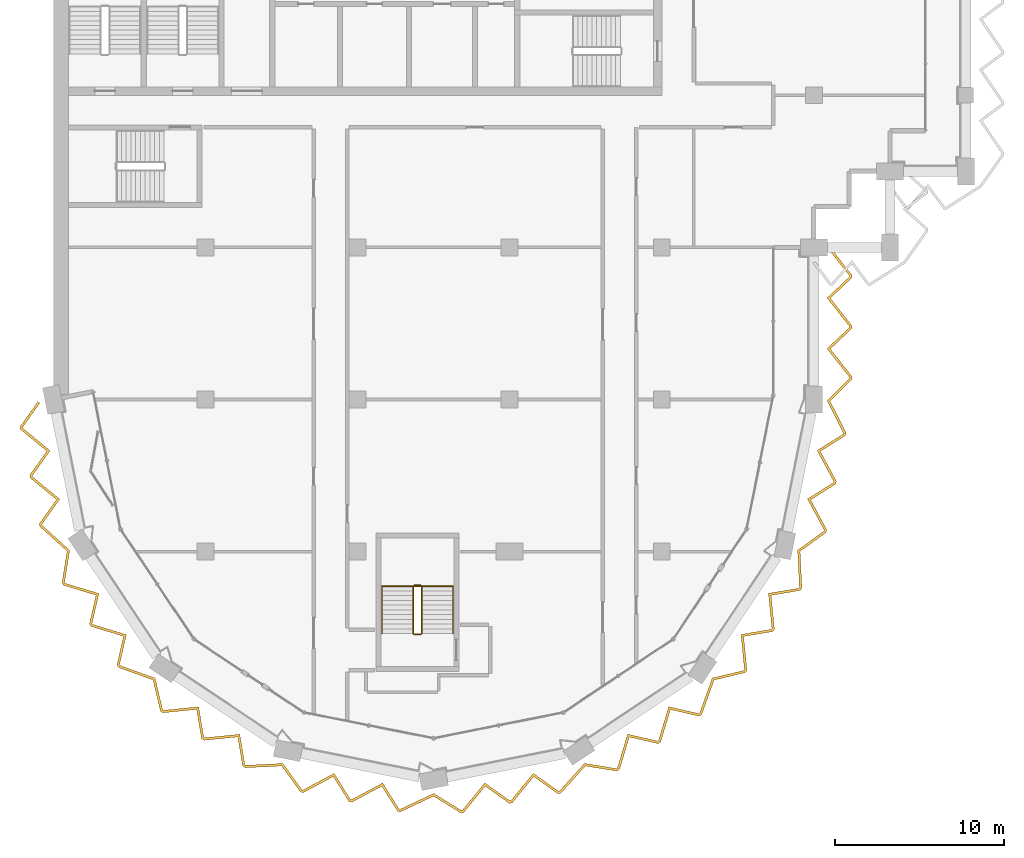
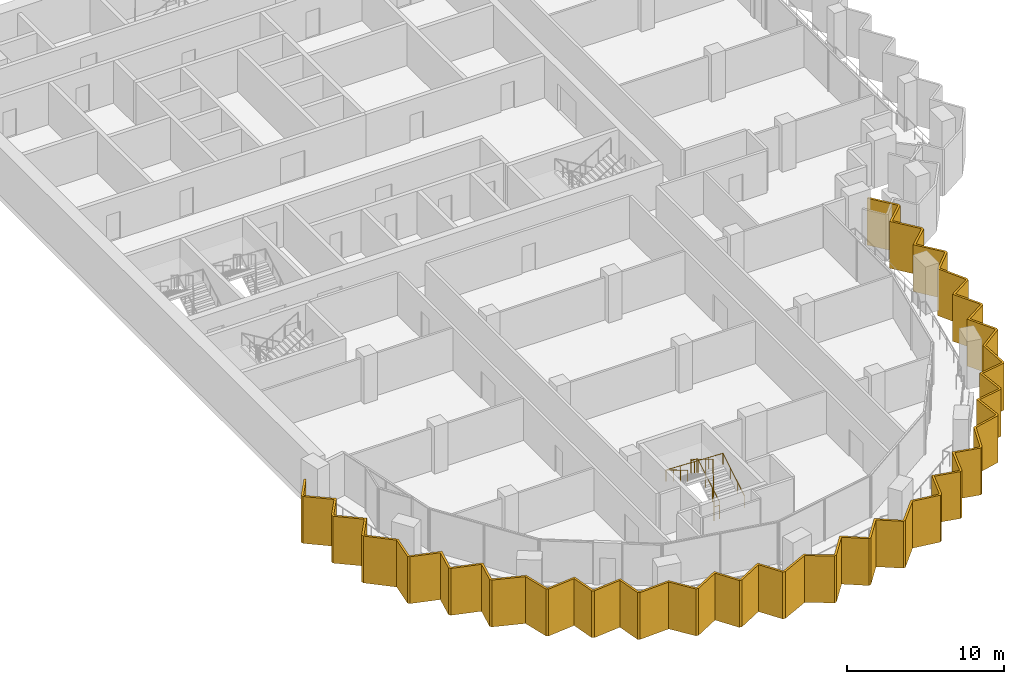
# One storey, part 14 of 17: 2 railings, 1 shading device.
"""IFC4 building model written with IfcOpenShell, lengths in metres."""

from ifc_helpers import new_model, si_unit, direction, frame, origin, origin_2d, place, context, subcontext, project, spatial, polyline, circle, outline, extrude, material, layer, layer_set, type_object, element, save


model = new_model("IFC4")

# Units and contexts
model_context = context("Model", 3, precision=1e-05, world=origin(), true_north=direction((0.0, 1.0)))
body_context = subcontext(model_context, "Body", "Model", "MODEL_VIEW")
ifc_project = project(units=[si_unit("LENGTHUNIT", "METRE"), si_unit("AREAUNIT", "SQUARE_METRE"), si_unit("VOLUMEUNIT", "CUBIC_METRE"), si_unit("PLANEANGLEUNIT", "RADIAN"), si_unit("MASSUNIT", "GRAM", prefix="KILO")], contexts=[model_context])

# Site, building, storey
site_placement = place(None, origin())
site = spatial("IfcSite", under=ifc_project, at=site_placement, CompositionType="ELEMENT")
building_placement = place(site_placement, origin())
building = spatial("IfcBuilding", under=site, at=building_placement, Name="Hunhe Ridgeline Campus", CompositionType="ELEMENT")
storey_placement = place(building_placement, frame((0.0, 0.0, 265.10009765625)))
storey = spatial("IfcBuildingStorey", under=building, at=storey_placement, Name="L68", CompositionType="ELEMENT", Elevation=265.10009765625)

# Shading device
ifc_material_1 = material(Name="Concrete C50", Category="concrete")
ifc_layer = layer(ifc_material_1, 0.14990234375)
ifc_layer_set = layer_set([ifc_layer], Name="Sawtooth concrete fin 150 Concrete C50")
shading_device_type = type_object("IfcShadingDeviceType", Name="Sawtooth concrete fin 150 Concrete C50", PredefinedType="USERDEFINED", material=ifc_layer_set)
shading_device_placement = place(storey_placement, frame((0.0, 0.0, -0.9501953125)))
element("IfcShadingDevice", 1, at=shading_device_placement, inside=storey, type_object=shading_device_type, Name="Concrete fin screen 1", ObjectType="FIN", PredefinedType="USERDEFINED", context=body_context, shape_type="SweptSolid", body=[
    extrude(outline(polyline([(-0.797119140625, 44.785888671875), (-0.919189453125, 44.872802734375), (-1.973876953125, 43.39013671875), (-1.93896484375, 43.21435546875), (-0.388916015625, 41.945556640625), (-1.403076171875, 40.52001953125), (-1.367919921875, 40.34423828125), (0.181884765625, 39.075439453125), (-0.83203125, 37.64990234375), (-0.797607421875, 37.476318359375), (0.807861328125, 36.02001953125), (0.5068359375, 34.14453125), (0.604736328125, 33.998046875), (2.522216796875, 33.418701171875), (2.130859375, 31.7138671875), (2.23046875, 31.564697265625), (4.14794921875, 30.985595703125), (3.7568359375, 29.28076171875), (3.855224609375, 29.13330078125), (5.895751953125, 28.40234375), (6.3349609375, 26.554443359375), (6.481689453125, 26.45654296875), (8.474853515625, 26.6552734375), (8.765869140625, 24.93017578125), (8.914794921875, 24.830810546875), (10.907958984375, 25.029296875), (11.198974609375, 23.304443359375), (11.34619140625, 23.2060546875), (13.51123046875, 23.3115234375), (14.624267578125, 21.7724609375), (14.79736328125, 21.738037109375), (16.562744140625, 22.684326171875), (17.49169921875, 21.2021484375), (17.66748046875, 21.167236328125), (19.432861328125, 22.113525390625), (20.36181640625, 20.63134765625), (20.535400390625, 20.5966796875), (22.495361328125, 21.522705078125), (24.112548828125, 20.526611328125), (24.28564453125, 20.56103515625), (25.554443359375, 22.111083984375), (26.97998046875, 21.096923828125), (27.15576171875, 21.132080078125), (28.424560546875, 22.681884765625), (29.85009765625, 21.66796875), (30.023681640625, 21.702392578125), (31.47998046875, 23.307861328125), (33.35546875, 23.0068359375), (33.501953125, 23.104736328125), (34.081298828125, 25.022216796875), (35.7861328125, 24.630859375), (35.935302734375, 24.73046875), (36.514404296875, 26.64794921875), (38.21923828125, 26.2568359375), (38.36669921875, 26.355224609375), (39.09765625, 28.395751953125), (40.945556640625, 28.8349609375), (41.04345703125, 28.981689453125), (40.8447265625, 30.974853515625), (42.56982421875, 31.265869140625), (42.669189453125, 31.414794921875), (42.470703125, 33.407958984375), (44.195556640625, 33.698974609375), (44.2939453125, 33.84619140625), (44.1884765625, 36.01123046875), (45.7275390625, 37.124267578125), (45.761962890625, 37.29736328125), (44.815673828125, 39.062744140625), (46.2978515625, 39.99169921875), (46.332763671875, 40.16748046875), (45.386474609375, 41.932861328125), (46.86865234375, 42.86181640625), (46.903564453125, 43.036376953125), (45.96630859375, 44.8994140625), (47.25, 46.1953125), (47.25, 46.3720703125), (45.976318359375, 47.992431640625), (47.25, 49.19384765625), (47.25, 49.3720703125), (45.976318359375, 50.992431640625), (47.25, 52.19384765625), (47.25, 52.3720703125), (45.93408203125, 54.04638671875), (45.81591796875, 53.95361328125), (47.10009765625, 52.320068359375), (47.10009765625, 52.258544921875), (45.773681640625, 51.007568359375), (47.10009765625, 49.320068359375), (47.10009765625, 49.258544921875), (45.773681640625, 48.007568359375), (47.10009765625, 46.320068359375), (47.10009765625, 46.257080078125), (45.78369140625, 44.92822265625), (46.746337890625, 43.01513671875), (46.734375, 42.95458984375), (45.18798828125, 41.985595703125), (46.17529296875, 40.14404296875), (46.163330078125, 40.08447265625), (44.6171875, 39.115478515625), (45.604248046875, 37.27392578125), (45.591796875, 37.21142578125), (44.03466796875, 36.085205078125), (44.1416015625, 33.888427734375), (44.106689453125, 33.836181640625), (42.307373046875, 33.53271484375), (42.5146484375, 31.453369140625), (42.48095703125, 31.403076171875), (40.681640625, 31.099365234375), (40.888916015625, 29.020263671875), (40.853515625, 28.96728515625), (38.98388671875, 28.522705078125), (38.2421875, 26.452392578125), (38.189697265625, 26.41748046875), (36.411376953125, 26.825439453125), (35.80712890625, 24.825439453125), (35.756591796875, 24.79150390625), (33.97802734375, 25.19970703125), (33.3740234375, 23.199462890625), (33.321044921875, 23.164306640625), (31.423583984375, 23.468994140625), (29.94580078125, 21.83984375), (29.88427734375, 21.82763671875), (28.397216796875, 22.88525390625), (27.07373046875, 21.2685546875), (27.01416015625, 21.2568359375), (25.527099609375, 22.314453125), (24.20361328125, 20.69775390625), (24.14111328125, 20.685302734375), (22.504638671875, 21.693115234375), (20.51611328125, 20.75341796875), (20.45458984375, 20.765625), (19.485595703125, 22.31201171875), (17.64404296875, 21.32470703125), (17.58447265625, 21.336669921875), (16.615478515625, 22.8828125), (14.77392578125, 21.895751953125), (14.71142578125, 21.908203125), (13.585205078125, 23.46533203125), (11.388427734375, 23.3583984375), (11.336181640625, 23.393310546875), (11.03271484375, 25.192626953125), (8.953369140625, 24.9853515625), (8.903076171875, 25.01904296875), (8.599365234375, 26.818359375), (6.520263671875, 26.611083984375), (6.46728515625, 26.646484375), (6.022705078125, 28.51611328125), (3.952392578125, 29.2578125), (3.91748046875, 29.310302734375), (4.325439453125, 31.088623046875), (2.325439453125, 31.69287109375), (2.29150390625, 31.743408203125), (2.69970703125, 33.52197265625), (0.699462890625, 34.1259765625), (0.664306640625, 34.178955078125), (0.968994140625, 36.076416015625), (-0.66015625, 37.55419921875), (-0.67236328125, 37.61572265625), (0.38525390625, 39.102783203125), (-1.2314453125, 40.42626953125), (-1.2431640625, 40.48583984375), (-0.185546875, 41.972900390625), (-1.80224609375, 43.29638671875), (-1.814208984375, 43.35595703125), (-0.797119140625, 44.785888671875)])), origin(), (0.0, 0.0, 1.0), 3.650146484375),
])

# Railings
ifc_material_2 = material(Name="Stainless steel balustrade", Category="steel")
railing_type_1 = type_object("IfcRailingType", Name="Stair guard 1100 stainless", PredefinedType="GUARDRAIL", material=ifc_material_2)
railing_1_placement = place(storey_placement, frame((21.800048828125, 31.14990234375, 0.16796875)))
element("IfcRailing", 2, at=railing_1_placement, inside=storey, type_object=railing_type_1, Name="L68 stair W3 guard", PredefinedType="GUARDRAIL", context=body_context, shape_type="SweptSolid", body=[
    extrude(circle(Radius=0.02392578125, at=origin_2d()), frame((0.0, 0.0, 1.076171875), z_axis=(0.0, 0.857242210791, 0.514913383045), x_axis=(-1.0, 0.0, 0.0)), (0.0, 0.0, 1.0), 3.266357421875),
    extrude(circle(Radius=0.02392578125, at=origin_2d()), frame((0.0, 2.800048828125, 2.7578125), z_axis=(-0.707106781187, 0.707106781187, 0.0), x_axis=(-0.707106781187, -0.707106781187, 0.0)), (0.0, 0.0, 1.0), 0.07080078125),
    extrude(circle(Radius=0.02392578125, at=origin_2d()), frame((-0.050048828125, 2.85009765625, 2.7578125), z_axis=(-1.0, 0.0, 0.0), x_axis=(0.0, -1.0, 0.0)), (0.0, 0.0, 1.0), 0.39990234375),
    extrude(circle(Radius=0.02392578125, at=origin_2d()), frame((-0.449951171875, 2.85009765625, 2.7578125), z_axis=(-0.274243871929, -0.274243871929, 0.92172696468), x_axis=(0.707106781187, -0.707106781187, 0.0)), (0.0, 0.0, 1.0), 0.1826171875),
    extrude(circle(Radius=0.02392578125, at=origin_2d()), frame((-0.5, 2.800048828125, 2.92626953125), z_axis=(0.0, -0.857242210791, 0.514913383045), x_axis=(1.0, 0.0, 0.0)), (0.0, 0.0, 1.0), 3.266357421875),
    extrude(circle(Radius=0.02392578125, at=origin_2d()), frame((-0.5, 0.0, 4.60791015625), z_axis=(0.013524426427, -0.013458453615, -0.999817963389), x_axis=(0.705375805398, 0.708833529934, 0.0)), (0.0, 0.0, 1.0), 3.70068359375),
    extrude(circle(Radius=0.02392578125, at=origin_2d()), frame((-0.449951171875, -0.0498046875, 0.908203125), z_axis=(1.0, 0.0, 0.0), x_axis=(0.0, 1.0, 0.0)), (0.0, 0.0, 1.0), 0.39990234375),
    extrude(circle(Radius=0.02099609375, at=origin_2d()), origin(), (0.0, 0.0, 1.0), 1.052001953125),
    extrude(circle(Radius=0.02099609375, at=origin_2d()), frame((0.0, 0.933349609375, 0.560546875)), (0.0, 0.0, 1.0), 1.052001953125),
    extrude(circle(Radius=0.02099609375, at=origin_2d()), frame((0.0, 1.86669921875, 1.121337890625)), (0.0, 0.0, 1.0), 1.052001953125),
    extrude(circle(Radius=0.02099609375, at=origin_2d()), frame((0.0, 2.800048828125, 1.681884765625)), (0.0, 0.0, 1.0), 1.052001953125),
    extrude(circle(Radius=0.02099609375, at=origin_2d()), frame((-0.050048828125, 2.85009765625, 1.681884765625)), (0.0, 0.0, 1.0), 1.052001953125),
    extrude(circle(Radius=0.02099609375, at=origin_2d()), frame((-0.449951171875, 2.85009765625, 1.681884765625)), (0.0, 0.0, 1.0), 1.052001953125),
    extrude(circle(Radius=0.02099609375, at=origin_2d()), frame((-0.5, 2.800048828125, 1.85009765625)), (0.0, 0.0, 1.0), 1.052001953125),
    extrude(circle(Radius=0.02099609375, at=origin_2d()), frame((-0.5, 1.86669921875, 2.41064453125)), (0.0, 0.0, 1.0), 1.052001953125),
    extrude(circle(Radius=0.02099609375, at=origin_2d()), frame((-0.5, 0.933349609375, 2.971435546875)), (0.0, 0.0, 1.0), 1.052001953125),
    extrude(circle(Radius=0.02099609375, at=origin_2d()), frame((-0.5, 0.0, 3.531982421875)), (0.0, 0.0, 1.0), 1.052001953125),
    extrude(circle(Radius=0.02099609375, at=origin_2d()), frame((-0.487548828125, -0.012451171875, 2.60693359375)), (0.0, 0.0, 1.0), 1.052001953125),
    extrude(circle(Radius=0.02099609375, at=origin_2d()), frame((-0.47509765625, -0.02490234375, 1.68212890625)), (0.0, 0.0, 1.0), 1.052001953125),
    extrude(circle(Radius=0.02099609375, at=origin_2d()), frame((-0.46240234375, -0.037353515625, 0.757080078125)), (0.0, 0.0, 1.0), 1.052001953125),
    extrude(circle(Radius=0.02099609375, at=origin_2d()), frame((-0.449951171875, -0.0498046875, -0.16796875)), (0.0, 0.0, 1.0), 1.052001953125),
    extrude(circle(Radius=0.02099609375, at=origin_2d()), frame((-0.050048828125, -0.0498046875, -0.16796875)), (0.0, 0.0, 1.0), 1.052001953125),
])
ifc_material_3 = material(Name="Stainless steel handrail", Category="steel")
railing_type_2 = type_object("IfcRailingType", Name="Stair handrail 900 stainless", PredefinedType="HANDRAIL", material=ifc_material_3)
railing_2_placement = place(storey_placement, frame((23.64990234375, 31.14990234375, 0.16796875)))
element("IfcRailing", 3, at=railing_2_placement, inside=storey, type_object=railing_type_2, Name="L68 stair W3 handrail", PredefinedType="HANDRAIL", context=body_context, shape_type="SweptSolid", body=[
    extrude(circle(Radius=0.02392578125, at=origin_2d()), frame((0.0, 0.0, 0.8759765625), z_axis=(0.0, 0.857242210791, 0.514913383045), x_axis=(-1.0, 0.0, 0.0)), (0.0, 0.0, 1.0), 3.266357421875),
    extrude(circle(Radius=0.02392578125, at=origin_2d()), frame((0.0, 2.800048828125, 2.5576171875), z_axis=(-0.999198916169, 0.0, 0.040019069537), x_axis=(0.0, -1.0, 0.0)), (0.0, 0.0, 1.0), 4.203369140625),
    extrude(circle(Radius=0.02392578125, at=origin_2d()), frame((-4.199951171875, 2.800048828125, 2.72607421875), z_axis=(0.0, -0.857242210791, 0.514913383045), x_axis=(1.0, 0.0, 0.0)), (0.0, 0.0, 1.0), 3.266357421875),
    extrude(circle(Radius=0.02099609375, at=origin_2d()), origin(), (0.0, 0.0, 1.0), 0.851806640625),
    extrude(circle(Radius=0.02099609375, at=origin_2d()), frame((0.0, 0.933349609375, 0.560546875)), (0.0, 0.0, 1.0), 0.851806640625),
    extrude(circle(Radius=0.02099609375, at=origin_2d()), frame((0.0, 1.86669921875, 1.121337890625)), (0.0, 0.0, 1.0), 0.851806640625),
    extrude(circle(Radius=0.02099609375, at=origin_2d()), frame((0.0, 2.800048828125, 1.681884765625)), (0.0, 0.0, 1.0), 0.851806640625),
    extrude(circle(Radius=0.02099609375, at=origin_2d()), frame((-1.050048828125, 2.800048828125, 1.723876953125)), (0.0, 0.0, 1.0), 0.851806640625),
    extrude(circle(Radius=0.02099609375, at=origin_2d()), frame((-2.10009765625, 2.800048828125, 1.76611328125)), (0.0, 0.0, 1.0), 0.851806640625),
    extrude(circle(Radius=0.02099609375, at=origin_2d()), frame((-3.14990234375, 2.800048828125, 1.80810546875)), (0.0, 0.0, 1.0), 0.851806640625),
    extrude(circle(Radius=0.02099609375, at=origin_2d()), frame((-4.199951171875, 2.800048828125, 1.85009765625)), (0.0, 0.0, 1.0), 0.851806640625),
    extrude(circle(Radius=0.02099609375, at=origin_2d()), frame((-4.199951171875, 1.86669921875, 2.41064453125)), (0.0, 0.0, 1.0), 0.851806640625),
    extrude(circle(Radius=0.02099609375, at=origin_2d()), frame((-4.199951171875, 0.933349609375, 2.971435546875)), (0.0, 0.0, 1.0), 0.851806640625),
    extrude(circle(Radius=0.02099609375, at=origin_2d()), frame((-4.199951171875, 0.0, 3.531982421875)), (0.0, 0.0, 1.0), 0.851806640625),
])

save(model, "model.ifc")
